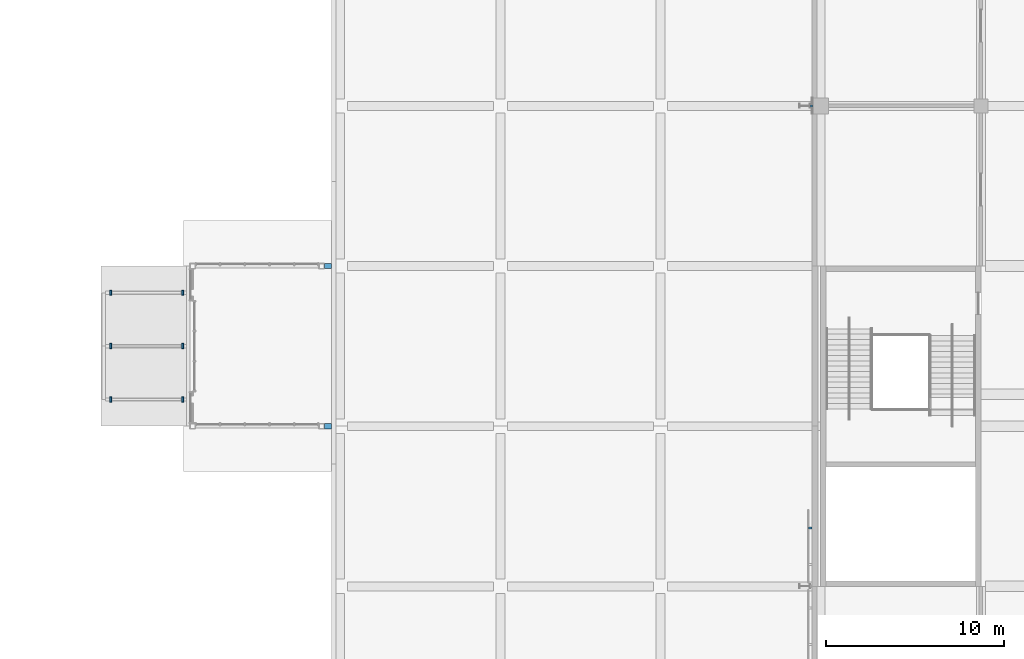
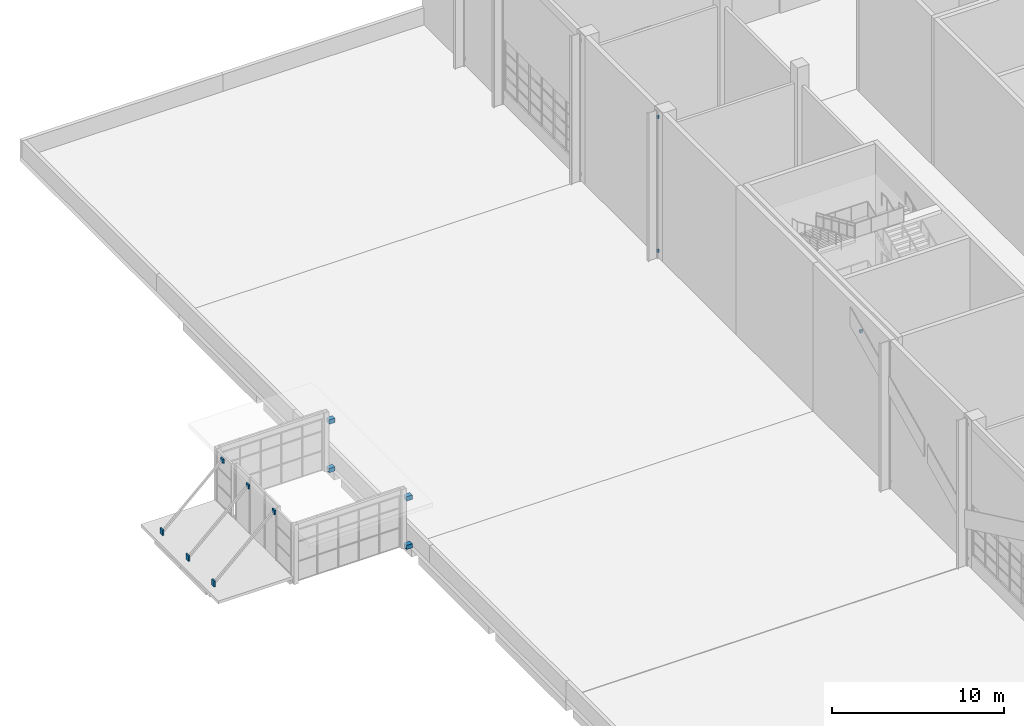
# One storey, part 114 of 182: 13 discrete accessories.
"""IFC4 building model written with IfcOpenShell, lengths in metres."""

from ifc_helpers import new_model, si_unit, direction, frame, origin, origin_2d, place, context, subcontext, project, spatial, rectangle, extrude, material, type_object, element, save


model = new_model("IFC4")

# Units and contexts
model_context = context("Model", 3, precision=1e-05, world=origin(), true_north=direction((0.0, 1.0)))
body_context = subcontext(model_context, "Body", "Model", "MODEL_VIEW")
ifc_project = project(units=[si_unit("LENGTHUNIT", "METRE"), si_unit("AREAUNIT", "SQUARE_METRE"), si_unit("VOLUMEUNIT", "CUBIC_METRE"), si_unit("PLANEANGLEUNIT", "RADIAN"), si_unit("MASSUNIT", "GRAM", prefix="KILO")], contexts=[model_context])

# Site, building, storey
site_placement = place(None, origin())
site = spatial("IfcSite", under=ifc_project, at=site_placement, CompositionType="ELEMENT")
building_placement = place(site_placement, origin())
building = spatial("IfcBuilding", under=site, at=building_placement, Name="Silverbay Arena", CompositionType="ELEMENT")
storey_placement = place(building_placement, frame((0.0, 0.0, 11.5)))
storey = spatial("IfcBuildingStorey", under=building, at=storey_placement, Name="L02", CompositionType="ELEMENT", Elevation=11.5)

# Discrete accessories
ifc_material = material(Name="Steel S355", Category="steel")
discrete_accessory_type = type_object("IfcDiscreteAccessoryType", Name="Steel bracket plate", PredefinedType="BRACKET", material=ifc_material)
for number, where, z_axis, x_axis, name in (
    (1, (53.47509765625, 117.0, 0.39990234375), (0.0, 0.0, 1.0), (1.0, 0.0, 0.0), "Fin bracket"),
    (2, (53.47509765625, 117.0, 9.89990234375), (0.0, 0.0, 1.0), (1.0, 0.0, 0.0), "Fin bracket"),
):
    element("IfcDiscreteAccessory", number, at=place(storey_placement, frame(where, z_axis=z_axis, x_axis=x_axis)), inside=storey, type_object=discrete_accessory_type, Name=name, PredefinedType="BRACKET", context=body_context, shape_type="SweptSolid", body=[
        extrude(rectangle(XDim=0.14990234375, YDim=0.1201171875, at=origin_2d()), origin(), (0.0, 0.0, 1.0), 0.199951171875),
    ])
for number, where, z_axis, x_axis, name in (
    (3, (26.300048828125, 99.0, -0.14990234375), (0.0, 0.0, 1.0), (1.0, 0.0, 0.0), "Hall column bracket plate"),
    (4, (26.300048828125, 99.0, 3.29638671875), (0.0, 0.0, 1.0), (1.0, 0.0, 0.0), "Hall column bracket plate"),
    (5, (26.300048828125, 108.0, -0.14990234375), (0.0, 0.0, 1.0), (1.0, 0.0, 0.0), "Hall column bracket plate"),
    (6, (26.300048828125, 108.0, 3.29638671875), (0.0, 0.0, 1.0), (1.0, 0.0, 0.0), "Hall column bracket plate"),
):
    element("IfcDiscreteAccessory", number, at=place(storey_placement, frame(where, z_axis=z_axis, x_axis=x_axis)), inside=storey, type_object=discrete_accessory_type, Name=name, PredefinedType="BRACKET", context=body_context, shape_type="SweptSolid", body=[
        extrude(rectangle(XDim=0.39990234375, YDim=0.300048828125, at=origin_2d()), origin(), (0.0, 0.0, 1.0), 0.300048828125),
    ])
discrete_accessory_1_placement = place(storey_placement, frame((18.14990234375, 100.5, 4.2001953125), z_axis=(0.0, 0.0, 1.0), x_axis=(1.0, 0.0, 0.0)))
element("IfcDiscreteAccessory", 7, at=discrete_accessory_1_placement, inside=storey, type_object=discrete_accessory_type, Name="Canopy tie roof lug plate", PredefinedType="BRACKET", context=body_context, shape_type="SweptSolid", body=[
    extrude(rectangle(XDim=0.10009765625, YDim=0.300048828125, at=origin_2d()), origin(), (0.0, 0.0, 1.0), 0.300048828125),
])
discrete_accessory_2_placement = place(storey_placement, frame((14.10009765625, 100.5, 0.5), z_axis=(0.0, 0.0, 1.0), x_axis=(1.0, 0.0, 0.0)))
element("IfcDiscreteAccessory", 8, at=discrete_accessory_2_placement, inside=storey, type_object=discrete_accessory_type, Name="Canopy tie edge lug plate", PredefinedType="BRACKET", context=body_context, shape_type="SweptSolid", body=[
    extrude(rectangle(XDim=0.10009765625, YDim=0.300048828125, at=origin_2d()), origin(), (0.0, 0.0, 1.0), 0.39990234375),
])
discrete_accessory_3_placement = place(storey_placement, frame((18.14990234375, 103.5, 4.2001953125), z_axis=(0.0, 0.0, 1.0), x_axis=(1.0, 0.0, 0.0)))
element("IfcDiscreteAccessory", 9, at=discrete_accessory_3_placement, inside=storey, type_object=discrete_accessory_type, Name="Canopy tie roof lug plate", PredefinedType="BRACKET", context=body_context, shape_type="SweptSolid", body=[
    extrude(rectangle(XDim=0.10009765625, YDim=0.300048828125, at=origin_2d()), origin(), (0.0, 0.0, 1.0), 0.300048828125),
])
discrete_accessory_4_placement = place(storey_placement, frame((14.10009765625, 103.5, 0.5), z_axis=(0.0, 0.0, 1.0), x_axis=(1.0, 0.0, 0.0)))
element("IfcDiscreteAccessory", 10, at=discrete_accessory_4_placement, inside=storey, type_object=discrete_accessory_type, Name="Canopy tie edge lug plate", PredefinedType="BRACKET", context=body_context, shape_type="SweptSolid", body=[
    extrude(rectangle(XDim=0.10009765625, YDim=0.300048828125, at=origin_2d()), origin(), (0.0, 0.0, 1.0), 0.39990234375),
])
discrete_accessory_5_placement = place(storey_placement, frame((18.14990234375, 106.5, 4.2001953125), z_axis=(0.0, 0.0, 1.0), x_axis=(1.0, 0.0, 0.0)))
element("IfcDiscreteAccessory", 11, at=discrete_accessory_5_placement, inside=storey, type_object=discrete_accessory_type, Name="Canopy tie roof lug plate", PredefinedType="BRACKET", context=body_context, shape_type="SweptSolid", body=[
    extrude(rectangle(XDim=0.10009765625, YDim=0.300048828125, at=origin_2d()), origin(), (0.0, 0.0, 1.0), 0.300048828125),
])
discrete_accessory_6_placement = place(storey_placement, frame((14.10009765625, 106.5, 0.5), z_axis=(0.0, 0.0, 1.0), x_axis=(1.0, 0.0, 0.0)))
element("IfcDiscreteAccessory", 12, at=discrete_accessory_6_placement, inside=storey, type_object=discrete_accessory_type, Name="Canopy tie edge lug plate", PredefinedType="BRACKET", context=body_context, shape_type="SweptSolid", body=[
    extrude(rectangle(XDim=0.10009765625, YDim=0.300048828125, at=origin_2d()), origin(), (0.0, 0.0, 1.0), 0.39990234375),
])
discrete_accessory_7_placement = place(storey_placement, frame((53.409912109375, 93.27490234375, 9.0947265625), z_axis=(0.0, 0.0, 1.0), x_axis=(1.0, 0.0, 0.0)))
element("IfcDiscreteAccessory", 13, at=discrete_accessory_7_placement, inside=storey, type_object=discrete_accessory_type, Name="Band bracket", PredefinedType="BRACKET", context=body_context, shape_type="SweptSolid", body=[
    extrude(rectangle(XDim=0.179931640625, YDim=0.1201171875, at=origin_2d()), origin(), (0.0, 0.0, 1.0), 0.199951171875),
])

save(model, "model.ifc")
